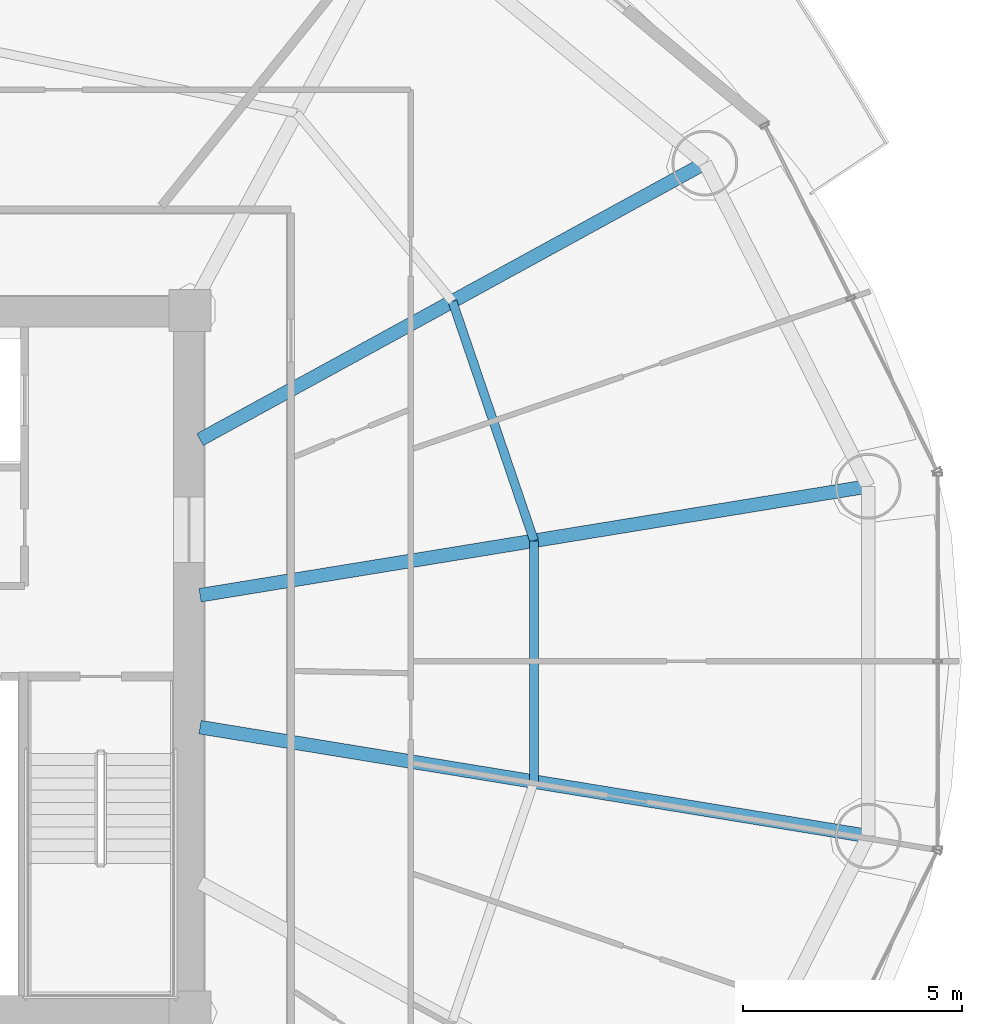
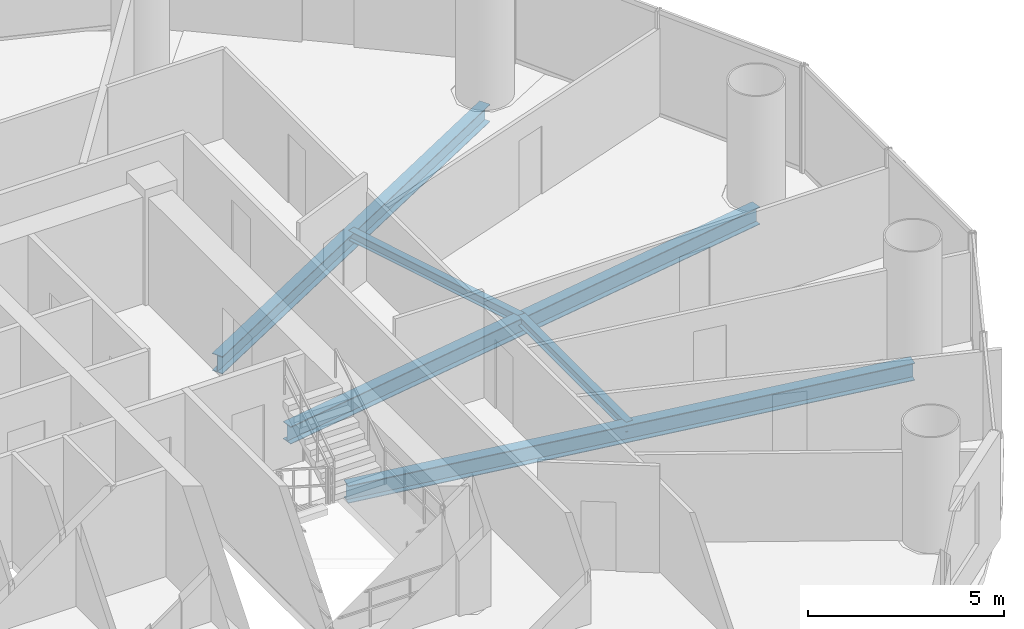
# One storey, part 14 of 29: 5 beams.
"""IFC4 building model written with IfcOpenShell, lengths in metres."""

from ifc_helpers import new_model, si_unit, direction, frame, origin, origin_2d, place, context, subcontext, project, spatial, i_section, extrude, material, material_profile, profile_set, type_object, element, save


model = new_model("IFC4")

# Units and contexts
model_context = context("Model", 3, precision=1e-05, world=origin(), true_north=direction((-0.2419218956, 0.970295726276)))
body_context = subcontext(model_context, "Body", "Model", "MODEL_VIEW")
ifc_project = project(units=[si_unit("LENGTHUNIT", "METRE"), si_unit("AREAUNIT", "SQUARE_METRE"), si_unit("VOLUMEUNIT", "CUBIC_METRE"), si_unit("PLANEANGLEUNIT", "RADIAN"), si_unit("MASSUNIT", "GRAM", prefix="KILO")], contexts=[model_context])

# Site, building, storey
site_placement = place(None, origin())
site = spatial("IfcSite", under=ifc_project, at=site_placement, CompositionType="ELEMENT")
building_placement = place(site_placement, origin())
building = spatial("IfcBuilding", under=site, at=building_placement, Name="Cobrevalo Terracotta Tower", CompositionType="ELEMENT")
storey_placement = place(building_placement, frame((0.0, 0.0, 115.800048828125)))
storey = spatial("IfcBuildingStorey", under=building, at=storey_placement, Name="L30", CompositionType="ELEMENT", Elevation=115.800048828125)

# Beams
ifc_material = material(Name="Steel S355", Category="steel")
ifc_material_profile_1 = material_profile(ifc_material, i_section(OverallWidth=0.31201171875, OverallDepth=0.54296875, WebThickness=0.0126953125, FlangeThickness=0.020263671875, at=origin_2d()), Name="W 530x150")
ifc_profile_set_1 = profile_set([ifc_material_profile_1], Name="Steel S355")
beam_type_1 = type_object("IfcBeamType", Name="Structural Beam W 530x150 (Steel S355)", PredefinedType="BEAM", material=ifc_profile_set_1)
beam_1_placement = place(storey_placement, frame((62.470703125, 30.78955078125, -0.546630859375), z_axis=(-0.986970567439, -0.160900898101, 0.0), x_axis=(0.160900898101, -0.986970567439, 0.0)))
element("IfcBeam", 1, at=beam_1_placement, inside=storey, type_object=beam_type_1, Name="L30 radial floor girder 01", PredefinedType="BEAM", context=body_context, shape_type="SweptSolid", body=[
    extrude(i_section(OverallWidth=0.31201171875, OverallDepth=0.54296875, WebThickness=0.0126953125, FlangeThickness=0.020263671875, at=origin_2d()), origin(), (0.0, 0.0, 1.0), 15.44189453125),
])
beam_2_placement = place(storey_placement, frame((58.7451171875, 38.161376953125, -0.546630859375), z_axis=(-0.877080599376, -0.480343233738, 0.0), x_axis=(0.480343233738, -0.877080599376, 0.0)))
element("IfcBeam", 2, at=beam_2_placement, inside=storey, type_object=beam_type_1, Name="L30 radial floor girder 02", PredefinedType="BEAM", context=body_context, shape_type="SweptSolid", body=[
    extrude(i_section(OverallWidth=0.31201171875, OverallDepth=0.54296875, WebThickness=0.0126953125, FlangeThickness=0.020263671875, at=origin_2d()), origin(), (0.0, 0.0, 1.0), 13.12890625),
])
beam_3_placement = place(storey_placement, frame((62.470703125, 22.810302734375, -0.546630859375), z_axis=(-0.986968056587, 0.160916298977, 0.0), x_axis=(-0.160916298977, -0.986968056587, 0.0)))
element("IfcBeam", 3, at=beam_3_placement, inside=storey, type_object=beam_type_1, Name="L30 radial floor girder 16", PredefinedType="BEAM", context=body_context, shape_type="SweptSolid", body=[
    extrude(i_section(OverallWidth=0.31201171875, OverallDepth=0.54296875, WebThickness=0.0126953125, FlangeThickness=0.020263671875, at=origin_2d()), origin(), (0.0, 0.0, 1.0), 15.44189453125),
])
ifc_material_profile_2 = material_profile(ifc_material, i_section(OverallWidth=0.2041015625, OverallDepth=0.305908203125, WebThickness=0.008544921875, FlangeThickness=0.0146484375, at=origin_2d()), Name="W 310x67")
ifc_profile_set_2 = profile_set([ifc_material_profile_2], Name="Steel S355")
beam_type_2 = type_object("IfcBeamType", Name="Structural Joist W 310x67 (Steel S355)", PredefinedType="JOIST", material=ifc_profile_set_2)
beam_4_placement = place(storey_placement, frame((54.850341796875, 29.547119140625, -0.427978515625), z_axis=(-0.322833299398, 0.94645584197, 0.0), x_axis=(-0.94645584197, -0.322833299398, 0.0)))
element("IfcBeam", 4, at=beam_4_placement, inside=storey, type_object=beam_type_2, Name="L30 circumferential secondary floor joist 01", PredefinedType="JOIST", context=body_context, shape_type="SweptSolid", body=[
    extrude(i_section(OverallWidth=0.2041015625, OverallDepth=0.305908203125, WebThickness=0.008544921875, FlangeThickness=0.0146484375, at=origin_2d()), origin(), (0.0, 0.0, 1.0), 5.77001953125),
])
beam_5_placement = place(storey_placement, frame((54.850341796875, 24.052734375, -0.427978515625), z_axis=(0.0, 1.0, 0.0), x_axis=(-1.0, 0.0, 0.0)))
element("IfcBeam", 5, at=beam_5_placement, inside=storey, type_object=beam_type_2, Name="L30 circumferential secondary floor joist 16", PredefinedType="JOIST", context=body_context, shape_type="SweptSolid", body=[
    extrude(i_section(OverallWidth=0.2041015625, OverallDepth=0.305908203125, WebThickness=0.008544921875, FlangeThickness=0.0146484375, at=origin_2d()), origin(), (0.0, 0.0, 1.0), 5.494384765625),
])

save(model, "model.ifc")
